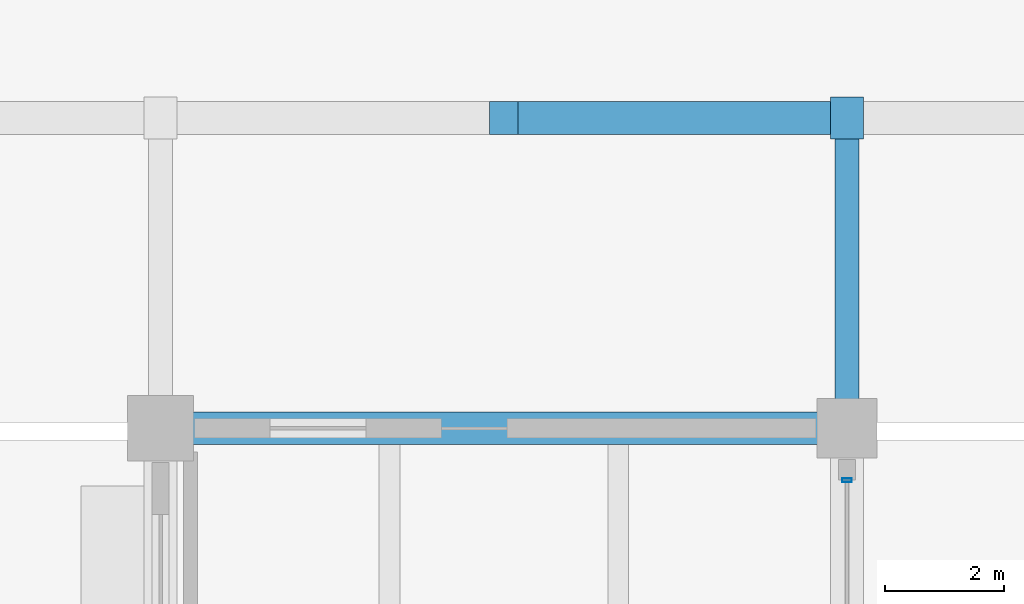
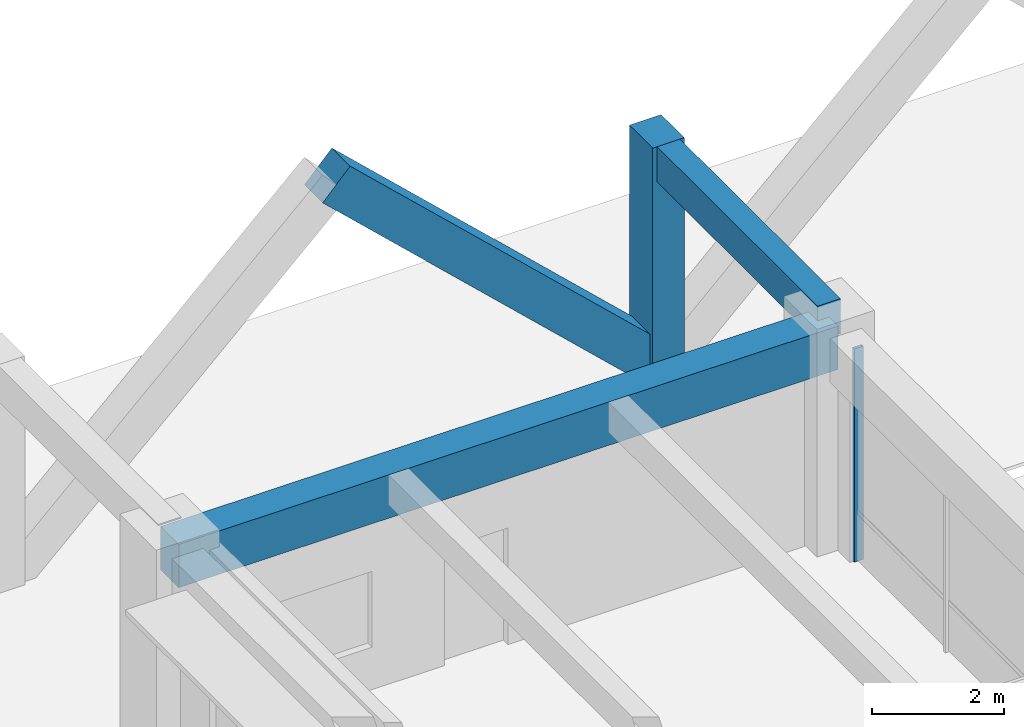
# One storey, part 46 of 109: 3 members, 2 beams, 1 element without a shape of its own.
"""IFC4 building model written with IfcOpenShell, lengths in metres."""

from ifc_helpers import new_model, si_unit, direction, frame, origin, origin_2d, place, context, subcontext, project, spatial, rectangle, hollow_rectangle, extrude, material, material_profile, profile_set, type_object, element, aggregate, save


model = new_model("IFC4")

# Units and contexts
model_context = context("Model", 3, precision=1e-05, world=origin(), true_north=direction((0.0, 1.0)))
body_context = subcontext(model_context, "Body", "Model", "MODEL_VIEW")
ifc_project = project(units=[si_unit("LENGTHUNIT", "METRE"), si_unit("AREAUNIT", "SQUARE_METRE"), si_unit("VOLUMEUNIT", "CUBIC_METRE"), si_unit("PLANEANGLEUNIT", "RADIAN"), si_unit("MASSUNIT", "GRAM", prefix="KILO")], contexts=[model_context])

# Site, building, storey
site_placement = place(None, origin())
site = spatial("IfcSite", under=ifc_project, at=site_placement, CompositionType="ELEMENT")
building_placement = place(site_placement, origin())
building = spatial("IfcBuilding", under=site, at=building_placement, Name="Ologun Quay Terminus", CompositionType="ELEMENT")
storey_placement = place(building_placement, origin())
storey = spatial("IfcBuildingStorey", under=building, at=storey_placement, Name="L00", CompositionType="ELEMENT", Elevation=0.0)

# Curtain wall, member
ifc_material_1 = material(Name="Aluminium 6063-T6", Category="aluminium")
curtain_wall_type = type_object("IfcCurtainWallType", Name="Rain-Garden West Courtyard Curtain Wall L00 8200x3750", PredefinedType="USERDEFINED", material=ifc_material_1)
curtain_wall_placement = place(storey_placement, origin())
curtain_wall = element("IfcCurtainWall", 1, at=curtain_wall_placement, inside=storey, type_object=curtain_wall_type, Name="CW-13 Curtain Wall CW-L00-095", ObjectType="UNITISED CURTAIN WALL", PredefinedType="USERDEFINED")
ifc_material_2 = material(Name="Aluminium 6063-T6", Category="aluminium")
ifc_material_profile_1 = material_profile(ifc_material_2, hollow_rectangle(XDim=0.06005859375, YDim=0.159912109375, WallThickness=0.00390625, at=origin_2d()), Name="ALU 160x60x4")
ifc_profile_set_1 = profile_set([ifc_material_profile_1], Name="Aluminium 6063-T6")
member_type_1 = type_object("IfcMemberType", Name="Courtyard Screen Mullion 160x65", PredefinedType="MULLION", material=ifc_profile_set_1)
member_1_placement = place(storey_placement, frame((69.0, 113.929931640625, 0.0), z_axis=(0.0, 0.0, 1.0), x_axis=(0.0, 1.0, 0.0)))
member_1 = element("IfcMember", 2, at=member_1_placement, type_object=member_type_1, Name="CW-L00-095 Mullion 4", PredefinedType="MULLION", context=body_context, shape_type="SweptSolid", body=[
    extrude(hollow_rectangle(XDim=0.06005859375, YDim=0.159912109375, WallThickness=0.00390625, at=origin_2d()), origin(), (0.0, 0.0, 1.0), 3.929931640625),
])
aggregate(curtain_wall, [member_1])

# Beam
ifc_material_3 = material(Name="Concrete C40/50", Category="concrete")
ifc_material_profile_2 = material_profile(ifc_material_3, rectangle(XDim=0.550048828125, YDim=0.800048828125, at=origin_2d()), Name="RC 550x800")
ifc_profile_set_2 = profile_set([ifc_material_profile_2], Name="Concrete C40/50")
beam_type_1 = type_object("IfcBeamType", Name="Courtyard Wing Primary Girder 550x800", PredefinedType="BEAM", material=ifc_profile_set_2)
beam_1_placement = place(storey_placement, frame((57.5, 114.800048828125, 3.550048828125), z_axis=(1.0, 0.0, 0.0), x_axis=(0.0, 1.0, 0.0)))
element("IfcBeam", 3, at=beam_1_placement, inside=storey, type_object=beam_type_1, Name="B4 Beam 6/K L00", PredefinedType="BEAM", context=body_context, shape_type="SweptSolid", body=[
    extrude(rectangle(XDim=0.550048828125, YDim=0.800048828125, at=origin_2d()), origin(), (0.0, 0.0, 1.0), 11.5),
])

# Members
ifc_material_4 = material(Name="Concrete C45/55", Category="concrete")
ifc_material_profile_3 = material_profile(ifc_material_4, rectangle(XDim=0.550048828125, YDim=0.699951171875, at=origin_2d()), Name="RC 550x700")
ifc_profile_set_3 = profile_set([ifc_material_profile_3], Name="Concrete C45/55")
member_type_2 = type_object("IfcMemberType", Name="Folded Canopy Concrete V-Strut 550x700", PredefinedType="STRUT", material=ifc_profile_set_3)
member_2_placement = place(storey_placement, frame((69.0, 120.0, 0.0), z_axis=(0.0, 0.0, 1.0), x_axis=(1.0, 0.0, 0.0)))
element("IfcMember", 4, at=member_2_placement, inside=storey, type_object=member_type_2, Name="VS2 Harbour Colonnade Pier 7/L", PredefinedType="STRUT", context=body_context, shape_type="SweptSolid", body=[
    extrude(rectangle(XDim=0.550048828125, YDim=0.699951171875, at=origin_2d()), origin(), (0.0, 0.0, 1.0), 4.219970703125),
])
member_3_placement = place(storey_placement, frame((69.0, 120.0, 0.0), z_axis=(-0.727684573488, 0.0, 0.685911919643), x_axis=(0.0, -1.0, 0.0)))
element("IfcMember", 5, at=member_3_placement, inside=storey, type_object=member_type_2, Name="VS2 Colonnade Strut 7/L-W", PredefinedType="STRUT", context=body_context, shape_type="SweptSolid", body=[
    extrude(rectangle(XDim=0.550048828125, YDim=0.699951171875, at=origin_2d()), origin(), (0.0, 0.0, 1.0), 7.90185546875),
])

# Beam
ifc_material_5 = material(Name="Concrete C40/50", Category="concrete")
ifc_material_profile_4 = material_profile(ifc_material_5, rectangle(XDim=0.39990234375, YDim=0.64990234375, at=origin_2d()), Name="RC 400x650")
ifc_profile_set_4 = profile_set([ifc_material_profile_4], Name="Concrete C40/50")
beam_type_2 = type_object("IfcBeamType", Name="Station Secondary Joist 400x650", PredefinedType="JOIST", material=ifc_profile_set_4)
beam_2_placement = place(storey_placement, frame((69.0, 114.800048828125, 3.89501953125), z_axis=(0.0, 1.0, 0.0), x_axis=(-1.0, 0.0, 0.0)))
element("IfcBeam", 6, at=beam_2_placement, inside=storey, type_object=beam_type_2, Name="J1 Beam 7/L L00", PredefinedType="JOIST", context=body_context, shape_type="SweptSolid", body=[
    extrude(rectangle(XDim=0.39990234375, YDim=0.64990234375, at=origin_2d()), origin(), (0.0, 0.0, 1.0), 5.199951171875),
])

save(model, "model.ifc")
